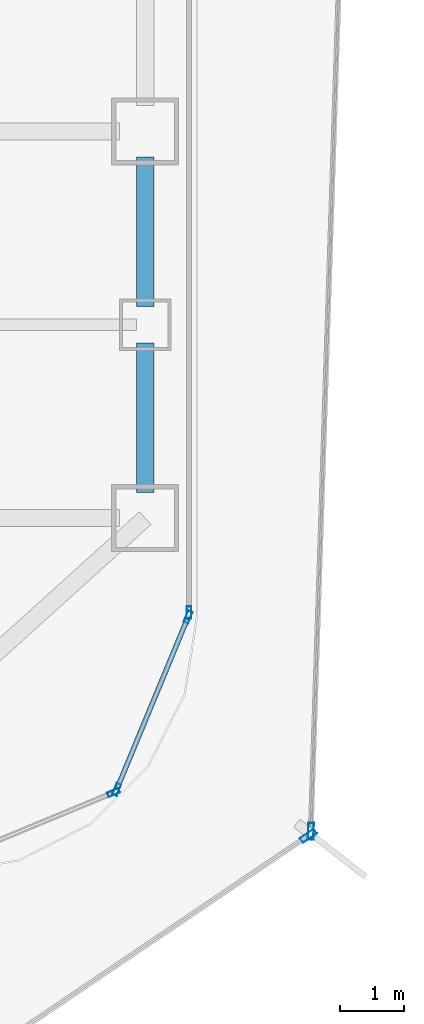
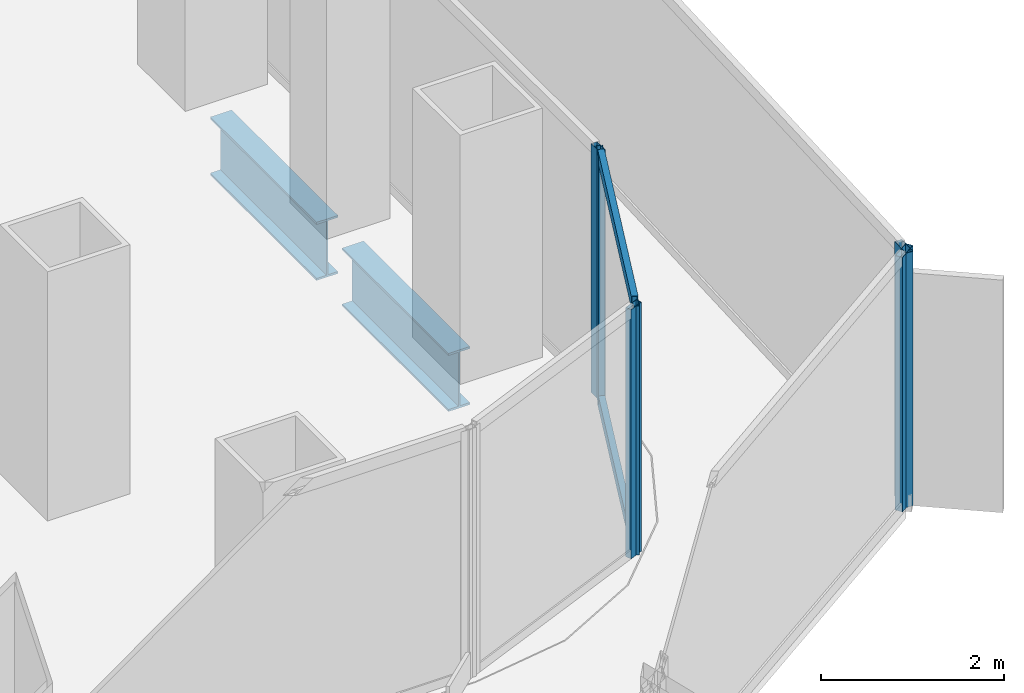
# One storey, part 8 of 21: 8 members, 2 beams, 5 elements without a shape of their own.
"""IFC4 building model written with IfcOpenShell, lengths in metres."""

from ifc_helpers import new_model, si_unit, direction, frame, origin, origin_2d, place, context, subcontext, project, spatial, hollow_rectangle, i_section, extrude, source, transform, mapped, material, layer, layer_set, material_profile, profile_set, type_object, element, aggregate, save


model = new_model("IFC4")

# Units and contexts
model_context = context("Model", 3, precision=1e-05, world=origin(), true_north=direction((0.0, 1.0)))
body_context = subcontext(model_context, "Body", "Model", "MODEL_VIEW")
ifc_project = project(units=[si_unit("LENGTHUNIT", "METRE"), si_unit("AREAUNIT", "SQUARE_METRE"), si_unit("VOLUMEUNIT", "CUBIC_METRE"), si_unit("PLANEANGLEUNIT", "RADIAN"), si_unit("MASSUNIT", "GRAM", prefix="KILO")], contexts=[model_context])

# Site, building, storey
site_placement = place(None, origin())
site = spatial("IfcSite", under=ifc_project, at=site_placement, CompositionType="ELEMENT")
building_placement = place(site_placement, origin())
building = spatial("IfcBuilding", under=site, at=building_placement, Name="Kolveth Station Tower", CompositionType="ELEMENT")
storey_placement = place(building_placement, frame((0.0, 0.0, 47.699951171875)))
storey = spatial("IfcBuildingStorey", under=building, at=storey_placement, Name="L12", CompositionType="ELEMENT", Elevation=47.699951171875)

# Beams
ifc_material_1 = material(Name="Steel S355", Category="steel")
ifc_material_profile_1 = material_profile(ifc_material_1, i_section(OverallWidth=0.26904296875, OverallDepth=0.77490234375, WebThickness=0.01708984375, FlangeThickness=0.0283203125, at=origin_2d()), Name="W760x220")
ifc_profile_set_1 = profile_set([ifc_material_profile_1], Name="Steel S355")
beam_type = type_object("IfcBeamType", Name="Beam_SP1", PredefinedType="SPANDREL", material=ifc_profile_set_1)
shared_shape_1 = source(origin(), body_context, "Body", "SweptSolid", [
    extrude(i_section(OverallWidth=0.26904296875, OverallDepth=0.77490234375, WebThickness=0.01708984375, FlangeThickness=0.0283203125, at=origin_2d()), origin(), (0.0, 0.0, 1.0), 2.320068359375),
])
for number, where, z_axis, x_axis, name in (
    (1, (46.199951171875, 5.89990234375, -0.66748046875), (0.0, 1.0, 0.0), (-1.0, 0.0, 0.0), "L12 Perimeter Spandrel BM-L12-PE-1"),
    (2, (46.199951171875, 8.780029296875, -0.66748046875), (0.0, 1.0, 0.0), (-1.0, 0.0, 0.0), "L12 Perimeter Spandrel BM-L12-PE-2"),
):
    element("IfcBeam", number, at=place(storey_placement, frame(where, z_axis=z_axis, x_axis=x_axis)), inside=storey, type_object=beam_type, Name=name, PredefinedType="SPANDREL", context=body_context, shape_type="MappedRepresentation", body=[
        mapped(shared_shape_1, transform((0.0, 0.0, 0.0), x_axis=(1.0, 0.0, 0.0), y_axis=(0.0, 1.0, 0.0), z_axis=(0.0, 0.0, 1.0), scale=1.0)),
    ])

# Curtain wall, member
ifc_material_2 = material(Name="Aluminium 6063-T6 and low-E dark glass", Category="aluminium")
ifc_layer_1 = layer(ifc_material_2, 0.179931640625)
ifc_layer_set_1 = layer_set([ifc_layer_1], Name="Aluminium 6063-T6 and low-E dark glass")
curtain_wall_type_1 = type_object("IfcCurtainWallType", Name="CurtainWall_CW-Z1", PredefinedType="NOTDEFINED", material=ifc_layer_set_1)
curtain_wall_1_placement = place(storey_placement, origin())
curtain_wall_1 = element("IfcCurtainWall", 3, at=curtain_wall_1_placement, inside=storey, type_object=curtain_wall_type_1, Name="L12 Inner Thermal Curtain Wall 1", PredefinedType="NOTDEFINED")
ifc_material_3 = material(Name="Black anodized aluminium 6063-T6", Category="aluminium")
ifc_material_profile_2 = material_profile(ifc_material_3, hollow_rectangle(XDim=0.074951171875, YDim=0.18994140625, WallThickness=0.0048828125, at=origin_2d()), Name="ALU-75x190x5")
ifc_profile_set_2 = profile_set([ifc_material_profile_2], Name="Black anodized aluminium 6063-T6")
member_type_1 = type_object("IfcMemberType", Name="Mullion_ML1", PredefinedType="MULLION", material=ifc_profile_set_2)
shared_shape_2 = source(origin(), body_context, "Body", "SweptSolid", [
    extrude(hollow_rectangle(XDim=0.074951171875, YDim=0.18994140625, WallThickness=0.0048828125, at=origin_2d()), origin(), (0.0, 0.0, 1.0), 3.320068359375),
])
member_1_placement = place(storey_placement, frame((45.708984375, 1.241943359375, 0.0), z_axis=(0.0, 0.0, 1.0), x_axis=(-0.382672990201, 0.923883857728, 0.0)))
member_1 = element("IfcMember", 4, at=member_1_placement, type_object=member_type_1, Name="CW-Z1 mullion 2", PredefinedType="MULLION", context=body_context, shape_type="MappedRepresentation", body=[
    mapped(shared_shape_2, transform((0.0, 0.0, 0.0), x_axis=(1.0, 0.0, 0.0), y_axis=(0.0, 1.0, 0.0), z_axis=(0.0, 0.0, 1.0), scale=1.0)),
])
aggregate(curtain_wall_1, [member_1])

# Curtain wall, members
curtain_wall_2_placement = place(storey_placement, origin())
curtain_wall_2 = element("IfcCurtainWall", 5, at=curtain_wall_2_placement, inside=storey, type_object=curtain_wall_type_1, Name="L12 Inner Thermal Curtain Wall 2", PredefinedType="NOTDEFINED")
member_2_placement = place(storey_placement, frame((45.758056640625, 1.291015625, 0.0), z_axis=(0.0, 0.0, 1.0), x_axis=(-0.923883857728, 0.382672990201, 0.0)))
member_2 = element("IfcMember", 6, at=member_2_placement, type_object=member_type_1, Name="CW-Z1 mullion 1", PredefinedType="MULLION", context=body_context, shape_type="MappedRepresentation", body=[
    mapped(shared_shape_2, transform((0.0, 0.0, 0.0), x_axis=(1.0, 0.0, 0.0), y_axis=(0.0, 1.0, 0.0), z_axis=(0.0, 0.0, 1.0), scale=1.0)),
])
member_3_placement = place(storey_placement, frame((46.86572265625, 3.96533203125, 0.0), z_axis=(0.0, 0.0, 1.0), x_axis=(-0.923883857728, 0.382672990201, 0.0)))
member_3 = element("IfcMember", 7, at=member_3_placement, type_object=member_type_1, Name="CW-Z1 mullion 2", PredefinedType="MULLION", context=body_context, shape_type="MappedRepresentation", body=[
    mapped(shared_shape_2, transform((0.0, 0.0, 0.0), x_axis=(1.0, 0.0, 0.0), y_axis=(0.0, 1.0, 0.0), z_axis=(0.0, 0.0, 1.0), scale=1.0)),
])

# Curtain wall, member
curtain_wall_3_placement = place(storey_placement, origin())
curtain_wall_3 = element("IfcCurtainWall", 8, at=curtain_wall_3_placement, inside=storey, type_object=curtain_wall_type_1, Name="L12 Inner Thermal Curtain Wall 3", PredefinedType="NOTDEFINED")
member_4_placement = place(storey_placement, frame((46.8798828125, 4.03759765625, 0.0), z_axis=(0.0, 0.0, 1.0), x_axis=(-1.0, 0.0, 0.0)))
member_4 = element("IfcMember", 9, at=member_4_placement, type_object=member_type_1, Name="CW-Z1 mullion 1", PredefinedType="MULLION", context=body_context, shape_type="MappedRepresentation", body=[
    mapped(shared_shape_2, transform((0.0, 0.0, 0.0), x_axis=(1.0, 0.0, 0.0), y_axis=(0.0, 1.0, 0.0), z_axis=(0.0, 0.0, 1.0), scale=1.0)),
])
aggregate(curtain_wall_3, [member_4])

# Member
ifc_material_profile_3 = material_profile(ifc_material_3, hollow_rectangle(XDim=0.074951171875, YDim=0.159912109375, WallThickness=0.0048828125, at=origin_2d()), Name="ALU-75x160x5")
ifc_profile_set_3 = profile_set([ifc_material_profile_3], Name="Black anodized aluminium 6063-T6")
member_type_2 = type_object("IfcMemberType", Name="Transom_TR1", PredefinedType="USERDEFINED", material=ifc_profile_set_3)
shared_shape_3 = source(origin(), body_context, "Body", "SweptSolid", [
    extrude(hollow_rectangle(XDim=0.074951171875, YDim=0.159912109375, WallThickness=0.0048828125, at=origin_2d()), origin(), (0.0, 0.0, 1.0), 2.819580078125),
])
member_5_placement = place(storey_placement, frame((45.772216796875, 1.32568359375, 0.03759765625), z_axis=(0.382708655389, 0.923869084389, 0.0), x_axis=(-0.923869084389, 0.382708655389, 0.0)))
member_5 = element("IfcMember", 10, at=member_5_placement, type_object=member_type_2, Name="CW-Z1 transom 1.1", ObjectType="TRANSOM", PredefinedType="USERDEFINED", context=body_context, shape_type="MappedRepresentation", body=[
    mapped(shared_shape_3, transform((0.0, 0.0, 0.0), x_axis=(1.0, 0.0, 0.0), y_axis=(0.0, 1.0, 0.0), z_axis=(0.0, 0.0, 1.0), scale=1.0)),
])

member_6_placement = place(storey_placement, frame((45.772216796875, 1.32568359375, 3.282470703125), z_axis=(0.382708655389, 0.923869084389, 0.0), x_axis=(-0.923869084389, 0.382708655389, 0.0)))
member_6 = element("IfcMember", 11, at=member_6_placement, type_object=member_type_2, Name="CW-Z1 transom 1.2", ObjectType="TRANSOM", PredefinedType="USERDEFINED", context=body_context, shape_type="MappedRepresentation", body=[
    mapped(shared_shape_3, transform((0.0, 0.0, 0.0), x_axis=(1.0, 0.0, 0.0), y_axis=(0.0, 1.0, 0.0), z_axis=(0.0, 0.0, 1.0), scale=1.0)),
])

aggregate(curtain_wall_2, [member_2, member_3, member_5, member_6])

# Curtain wall, member
ifc_material_4 = material(Name="Black anodized aluminium 6063-T6 and dark solar glass", Category="aluminium")
ifc_layer_2 = layer(ifc_material_4, 0.159912109375)
ifc_layer_set_2 = layer_set([ifc_layer_2], Name="Black anodized aluminium 6063-T6 and dark solar glass")
curtain_wall_type_2 = type_object("IfcCurtainWallType", Name="OUTER SKIN CW-OS", PredefinedType="NOTDEFINED", material=ifc_layer_set_2)
curtain_wall_4_placement = place(storey_placement, origin())
curtain_wall_4 = element("IfcCurtainWall", 12, at=curtain_wall_4_placement, inside=storey, type_object=curtain_wall_type_2, Name="L12 Outer Ventilated Skin Curtain Wall 1", PredefinedType="NOTDEFINED")
ifc_material_profile_4 = material_profile(ifc_material_3, hollow_rectangle(XDim=0.090087890625, YDim=0.260009765625, WallThickness=0.0048828125, at=origin_2d()), Name="ALU-90x260x5")
ifc_profile_set_4 = profile_set([ifc_material_profile_4], Name="Black anodized aluminium 6063-T6")
member_type_3 = type_object("IfcMemberType", Name="FIN MULLION ML-OS", PredefinedType="MULLION", material=ifc_profile_set_4)
shared_shape_4 = source(origin(), body_context, "Body", "SweptSolid", [
    extrude(hollow_rectangle(XDim=0.090087890625, YDim=0.260009765625, WallThickness=0.0048828125, at=origin_2d()), origin(), (0.0, 0.0, 1.0), 3.39013671875),
])
member_7_placement = place(storey_placement, frame((48.732177734375, 0.572509765625, 0.0), z_axis=(0.0, 0.0, 1.0), x_axis=(-0.560037444824, 0.828467295912, 0.0)))
member_7 = element("IfcMember", 13, at=member_7_placement, type_object=member_type_3, Name="CW-OS mullion 2", PredefinedType="MULLION", context=body_context, shape_type="MappedRepresentation", body=[
    mapped(shared_shape_4, transform((0.0, 0.0, 0.0), x_axis=(1.0, 0.0, 0.0), y_axis=(0.0, 1.0, 0.0), z_axis=(0.0, 0.0, 1.0), scale=1.0)),
])
aggregate(curtain_wall_4, [member_7])

curtain_wall_5_placement = place(storey_placement, origin())
curtain_wall_5 = element("IfcCurtainWall", 14, at=curtain_wall_5_placement, inside=storey, type_object=curtain_wall_type_2, Name="L12 Outer Ventilated Skin Curtain Wall 2", PredefinedType="NOTDEFINED")
member_8_placement = place(storey_placement, frame((48.77099609375, 0.642578125, 0.0), z_axis=(0.0, 0.0, 1.0), x_axis=(-0.999452442433, 0.033087993514, 0.0)))
member_8 = element("IfcMember", 15, at=member_8_placement, type_object=member_type_3, Name="CW-OS mullion 1", PredefinedType="MULLION", context=body_context, shape_type="MappedRepresentation", body=[
    mapped(shared_shape_4, transform((0.0, 0.0, 0.0), x_axis=(1.0, 0.0, 0.0), y_axis=(0.0, 1.0, 0.0), z_axis=(0.0, 0.0, 1.0), scale=1.0)),
])
aggregate(curtain_wall_5, [member_8])

save(model, "model.ifc")
